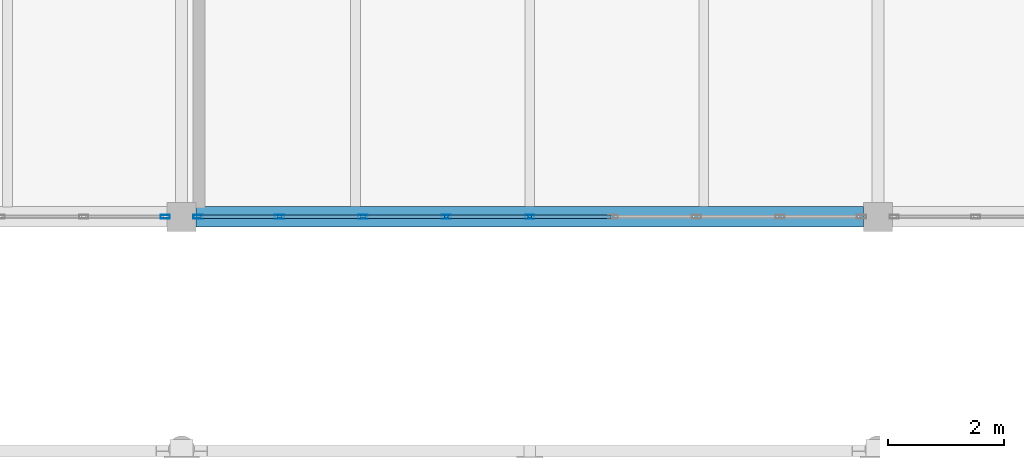
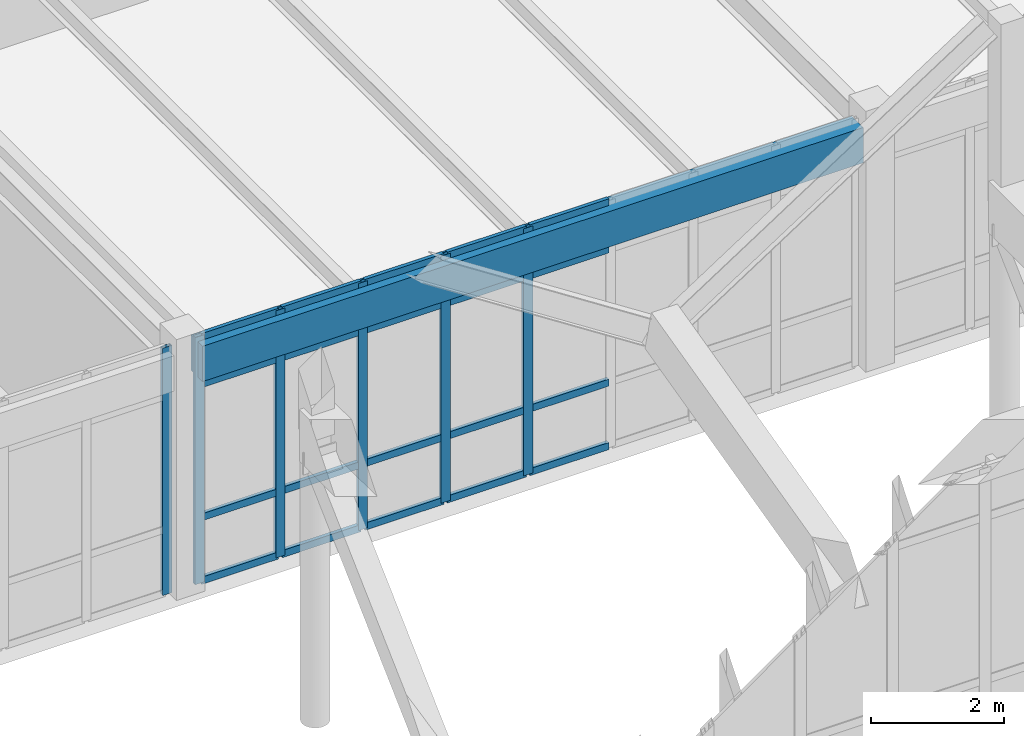
# One storey, part 101 of 236: 26 members, 1 beam, 2 elements without a shape of their own.
"""IFC4 building model written with IfcOpenShell, lengths in metres."""

from ifc_helpers import new_model, si_unit, direction, frame, origin, origin_2d, place, context, subcontext, project, spatial, rectangle, hollow_rectangle, extrude, material, layer, layer_set, material_profile, profile_set, type_object, element, aggregate, save


model = new_model("IFC4")

# Units and contexts
model_context = context("Model", 3, precision=1e-05, world=origin(), true_north=direction((0.0, 1.0)))
body_context = subcontext(model_context, "Body", "Model", "MODEL_VIEW")
ifc_project = project(units=[si_unit("LENGTHUNIT", "METRE"), si_unit("AREAUNIT", "SQUARE_METRE"), si_unit("VOLUMEUNIT", "CUBIC_METRE"), si_unit("PLANEANGLEUNIT", "RADIAN"), si_unit("MASSUNIT", "GRAM", prefix="KILO")], contexts=[model_context])

# Site, building, storey
site_placement = place(None, origin())
site = spatial("IfcSite", under=ifc_project, at=site_placement, CompositionType="ELEMENT")
building_placement = place(site_placement, origin())
building = spatial("IfcBuilding", under=site, at=building_placement, Name="Pandanus Reach Market Hall", CompositionType="ELEMENT")
storey_placement = place(building_placement, frame((0.0, 0.0, 5.39990234375)))
storey = spatial("IfcBuildingStorey", under=building, at=storey_placement, Name="L01", CompositionType="ELEMENT", Elevation=5.39990234375)

# Beam
ifc_material_1 = material(Name="Concrete N40 (40 MPa)", Category="concrete")
ifc_material_profile_1 = material_profile(ifc_material_1, rectangle(XDim=0.35009765625, YDim=0.64990234375, at=origin_2d()), Name="RC350x650", Category="LoadBearing")
ifc_profile_set_1 = profile_set([ifc_material_profile_1], Name="Concrete N40 (40 MPa)")
beam_type = type_object("IfcBeamType", Name="BM-RC350-E", PredefinedType="SPANDREL", material=ifc_profile_set_1)
beam_placement = place(storey_placement, frame((96.248046875, 96.0, 4.135009765625), z_axis=(1.0, 0.0, 0.0), x_axis=(0.0, 1.0, 0.0)))
element("IfcBeam", 1, at=beam_placement, inside=storey, type_object=beam_type, Name="Framing beam BM-RC350-E L01.851", PredefinedType="SPANDREL", context=body_context, shape_type="SweptSolid", body=[
    extrude(rectangle(XDim=0.35009765625, YDim=0.64990234375, at=origin_2d()), origin(), (0.0, 0.0, 1.0), 11.50390625),
])

# Curtain wall, member
ifc_material_2 = material(Name="Bronze anodised aluminium and low-E glass", Category="aluminium")
ifc_layer = layer(ifc_material_2, 0.159912109375, Name="CW-38")
ifc_layer_set = layer_set([ifc_layer], Name="Bronze anodised aluminium and low-E glass")
curtain_wall_type = type_object("IfcCurtainWallType", Name="CW-38", PredefinedType="NOTDEFINED", material=ifc_layer_set)
curtain_wall_1_placement = place(storey_placement, origin())
curtain_wall_1 = element("IfcCurtainWall", 2, at=curtain_wall_1_placement, inside=storey, type_object=curtain_wall_type, Name="Glazed curtain wall CW-38 CW-0138", PredefinedType="NOTDEFINED")
ifc_material_3 = material(Name="Bronze anodised aluminium", Category="aluminium")
ifc_material_profile_2 = material_profile(ifc_material_3, hollow_rectangle(XDim=0.06494140625, YDim=0.159912109375, WallThickness=0.00390625, at=origin_2d()), Name="ALU65x160", Category="LoadBearing")
ifc_profile_set_2 = profile_set([ifc_material_profile_2], Name="Bronze anodised aluminium")
member_type_1 = type_object("IfcMemberType", Name="CW-M1", PredefinedType="MULLION", material=ifc_profile_set_2)
member_1_placement = place(storey_placement, frame((95.717529296875, 96.0, 0.0), z_axis=(0.0, 0.0, 1.0), x_axis=(0.0, 1.0, 0.0)))
member_1 = element("IfcMember", 3, at=member_1_placement, type_object=member_type_1, Name="CW-38 mullion 9", PredefinedType="MULLION", context=body_context, shape_type="SweptSolid", body=[
    extrude(hollow_rectangle(XDim=0.06494140625, YDim=0.159912109375, WallThickness=0.00390625, at=origin_2d()), origin(), (0.0, 0.0, 1.0), 4.550048828125),
])
aggregate(curtain_wall_1, [member_1])

# Curtain wall, members
curtain_wall_2_placement = place(storey_placement, origin())
curtain_wall_2 = element("IfcCurtainWall", 4, at=curtain_wall_2_placement, inside=storey, type_object=curtain_wall_type, Name="Glazed curtain wall CW-38 CW-0140", PredefinedType="NOTDEFINED")
member_2_placement = place(storey_placement, frame((96.282470703125, 96.0, 0.0), z_axis=(0.0, 0.0, 1.0), x_axis=(0.0, 1.0, 0.0)))
member_2 = element("IfcMember", 5, at=member_2_placement, type_object=member_type_1, Name="CW-38 mullion 1", PredefinedType="MULLION", context=body_context, shape_type="SweptSolid", body=[
    extrude(hollow_rectangle(XDim=0.06494140625, YDim=0.159912109375, WallThickness=0.00390625, at=origin_2d()), origin(), (0.0, 0.0, 1.0), 4.550048828125),
])
member_3_placement = place(storey_placement, frame((97.6875, 96.0, 0.0), z_axis=(0.0, 0.0, 1.0), x_axis=(0.0, 1.0, 0.0)))
member_3 = element("IfcMember", 6, at=member_3_placement, type_object=member_type_1, Name="CW-38 mullion 2", PredefinedType="MULLION", context=body_context, shape_type="SweptSolid", body=[
    extrude(hollow_rectangle(XDim=0.06494140625, YDim=0.159912109375, WallThickness=0.00390625, at=origin_2d()), origin(), (0.0, 0.0, 1.0), 4.550048828125),
])
member_4_placement = place(storey_placement, frame((99.125, 96.0, 0.0), z_axis=(0.0, 0.0, 1.0), x_axis=(0.0, 1.0, 0.0)))
member_4 = element("IfcMember", 7, at=member_4_placement, type_object=member_type_1, Name="CW-38 mullion 3", PredefinedType="MULLION", context=body_context, shape_type="SweptSolid", body=[
    extrude(hollow_rectangle(XDim=0.06494140625, YDim=0.159912109375, WallThickness=0.00390625, at=origin_2d()), origin(), (0.0, 0.0, 1.0), 4.550048828125),
])
member_5_placement = place(storey_placement, frame((100.5625, 96.0, 0.0), z_axis=(0.0, 0.0, 1.0), x_axis=(0.0, 1.0, 0.0)))
member_5 = element("IfcMember", 8, at=member_5_placement, type_object=member_type_1, Name="CW-38 mullion 4", PredefinedType="MULLION", context=body_context, shape_type="SweptSolid", body=[
    extrude(hollow_rectangle(XDim=0.06494140625, YDim=0.159912109375, WallThickness=0.00390625, at=origin_2d()), origin(), (0.0, 0.0, 1.0), 4.550048828125),
])
member_6_placement = place(storey_placement, frame((102.0, 96.0, 0.0), z_axis=(0.0, 0.0, 1.0), x_axis=(0.0, 1.0, 0.0)))
member_6 = element("IfcMember", 9, at=member_6_placement, type_object=member_type_1, Name="CW-38 mullion 5", PredefinedType="MULLION", context=body_context, shape_type="SweptSolid", body=[
    extrude(hollow_rectangle(XDim=0.06494140625, YDim=0.159912109375, WallThickness=0.00390625, at=origin_2d()), origin(), (0.0, 0.0, 1.0), 4.550048828125),
])
ifc_material_profile_3 = material_profile(ifc_material_3, hollow_rectangle(XDim=0.06494140625, YDim=0.1298828125, WallThickness=0.00390625, at=origin_2d()), Name="ALU65x130", Category="LoadBearing")
ifc_profile_set_3 = profile_set([ifc_material_profile_3], Name="Bronze anodised aluminium")
member_type_2 = type_object("IfcMemberType", Name="CW-T1", PredefinedType="USERDEFINED", material=ifc_profile_set_3)
member_7_placement = place(storey_placement, frame((96.31494140625, 96.0, 0.03271484375), z_axis=(1.0, 0.0, 0.0), x_axis=(0.0, 1.0, 0.0)))
member_7 = element("IfcMember", 10, at=member_7_placement, type_object=member_type_2, Name="CW-38 transom 1.1", ObjectType="TRANSOM", PredefinedType="USERDEFINED", context=body_context, shape_type="SweptSolid", body=[
    extrude(hollow_rectangle(XDim=0.06494140625, YDim=0.1298828125, WallThickness=0.00390625, at=origin_2d()), origin(), (0.0, 0.0, 1.0), 1.340087890625),
])
member_8_placement = place(storey_placement, frame((96.31494140625, 96.0, 1.2001953125), z_axis=(1.0, 0.0, 0.0), x_axis=(0.0, 1.0, 0.0)))
member_8 = element("IfcMember", 11, at=member_8_placement, type_object=member_type_2, Name="CW-38 transom 1.2", ObjectType="TRANSOM", PredefinedType="USERDEFINED", context=body_context, shape_type="SweptSolid", body=[
    extrude(hollow_rectangle(XDim=0.06494140625, YDim=0.1298828125, WallThickness=0.00390625, at=origin_2d()), origin(), (0.0, 0.0, 1.0), 1.340087890625),
])
member_9_placement = place(storey_placement, frame((96.31494140625, 96.0, 3.650146484375), z_axis=(1.0, 0.0, 0.0), x_axis=(0.0, 1.0, 0.0)))
member_9 = element("IfcMember", 12, at=member_9_placement, type_object=member_type_2, Name="CW-38 transom 1.3", ObjectType="TRANSOM", PredefinedType="USERDEFINED", context=body_context, shape_type="SweptSolid", body=[
    extrude(hollow_rectangle(XDim=0.06494140625, YDim=0.1298828125, WallThickness=0.00390625, at=origin_2d()), origin(), (0.0, 0.0, 1.0), 1.340087890625),
])
member_10_placement = place(storey_placement, frame((96.31494140625, 96.0, 4.517578125), z_axis=(1.0, 0.0, 0.0), x_axis=(0.0, 1.0, 0.0)))
member_10 = element("IfcMember", 13, at=member_10_placement, type_object=member_type_2, Name="CW-38 transom 1.4", ObjectType="TRANSOM", PredefinedType="USERDEFINED", context=body_context, shape_type="SweptSolid", body=[
    extrude(hollow_rectangle(XDim=0.06494140625, YDim=0.1298828125, WallThickness=0.00390625, at=origin_2d()), origin(), (0.0, 0.0, 1.0), 1.340087890625),
])
member_11_placement = place(storey_placement, frame((97.719970703125, 96.0, 0.03271484375), z_axis=(1.0, 0.0, 0.0), x_axis=(0.0, 1.0, 0.0)))
member_11 = element("IfcMember", 14, at=member_11_placement, type_object=member_type_2, Name="CW-38 transom 2.1", ObjectType="TRANSOM", PredefinedType="USERDEFINED", context=body_context, shape_type="SweptSolid", body=[
    extrude(hollow_rectangle(XDim=0.06494140625, YDim=0.1298828125, WallThickness=0.00390625, at=origin_2d()), origin(), (0.0, 0.0, 1.0), 1.37255859375),
])
member_12_placement = place(storey_placement, frame((97.719970703125, 96.0, 1.2001953125), z_axis=(1.0, 0.0, 0.0), x_axis=(0.0, 1.0, 0.0)))
member_12 = element("IfcMember", 15, at=member_12_placement, type_object=member_type_2, Name="CW-38 transom 2.2", ObjectType="TRANSOM", PredefinedType="USERDEFINED", context=body_context, shape_type="SweptSolid", body=[
    extrude(hollow_rectangle(XDim=0.06494140625, YDim=0.1298828125, WallThickness=0.00390625, at=origin_2d()), origin(), (0.0, 0.0, 1.0), 1.37255859375),
])
member_13_placement = place(storey_placement, frame((97.719970703125, 96.0, 3.650146484375), z_axis=(1.0, 0.0, 0.0), x_axis=(0.0, 1.0, 0.0)))
member_13 = element("IfcMember", 16, at=member_13_placement, type_object=member_type_2, Name="CW-38 transom 2.3", ObjectType="TRANSOM", PredefinedType="USERDEFINED", context=body_context, shape_type="SweptSolid", body=[
    extrude(hollow_rectangle(XDim=0.06494140625, YDim=0.1298828125, WallThickness=0.00390625, at=origin_2d()), origin(), (0.0, 0.0, 1.0), 1.37255859375),
])
member_14_placement = place(storey_placement, frame((97.719970703125, 96.0, 4.517578125), z_axis=(1.0, 0.0, 0.0), x_axis=(0.0, 1.0, 0.0)))
member_14 = element("IfcMember", 17, at=member_14_placement, type_object=member_type_2, Name="CW-38 transom 2.4", ObjectType="TRANSOM", PredefinedType="USERDEFINED", context=body_context, shape_type="SweptSolid", body=[
    extrude(hollow_rectangle(XDim=0.06494140625, YDim=0.1298828125, WallThickness=0.00390625, at=origin_2d()), origin(), (0.0, 0.0, 1.0), 1.37255859375),
])
member_15_placement = place(storey_placement, frame((99.157470703125, 96.0, 0.03271484375), z_axis=(1.0, 0.0, 0.0), x_axis=(0.0, 1.0, 0.0)))
member_15 = element("IfcMember", 18, at=member_15_placement, type_object=member_type_2, Name="CW-38 transom 3.1", ObjectType="TRANSOM", PredefinedType="USERDEFINED", context=body_context, shape_type="SweptSolid", body=[
    extrude(hollow_rectangle(XDim=0.06494140625, YDim=0.1298828125, WallThickness=0.00390625, at=origin_2d()), origin(), (0.0, 0.0, 1.0), 1.37255859375),
])
member_16_placement = place(storey_placement, frame((99.157470703125, 96.0, 1.2001953125), z_axis=(1.0, 0.0, 0.0), x_axis=(0.0, 1.0, 0.0)))
member_16 = element("IfcMember", 19, at=member_16_placement, type_object=member_type_2, Name="CW-38 transom 3.2", ObjectType="TRANSOM", PredefinedType="USERDEFINED", context=body_context, shape_type="SweptSolid", body=[
    extrude(hollow_rectangle(XDim=0.06494140625, YDim=0.1298828125, WallThickness=0.00390625, at=origin_2d()), origin(), (0.0, 0.0, 1.0), 1.37255859375),
])
member_17_placement = place(storey_placement, frame((99.157470703125, 96.0, 3.650146484375), z_axis=(1.0, 0.0, 0.0), x_axis=(0.0, 1.0, 0.0)))
member_17 = element("IfcMember", 20, at=member_17_placement, type_object=member_type_2, Name="CW-38 transom 3.3", ObjectType="TRANSOM", PredefinedType="USERDEFINED", context=body_context, shape_type="SweptSolid", body=[
    extrude(hollow_rectangle(XDim=0.06494140625, YDim=0.1298828125, WallThickness=0.00390625, at=origin_2d()), origin(), (0.0, 0.0, 1.0), 1.37255859375),
])
member_18_placement = place(storey_placement, frame((99.157470703125, 96.0, 4.517578125), z_axis=(1.0, 0.0, 0.0), x_axis=(0.0, 1.0, 0.0)))
member_18 = element("IfcMember", 21, at=member_18_placement, type_object=member_type_2, Name="CW-38 transom 3.4", ObjectType="TRANSOM", PredefinedType="USERDEFINED", context=body_context, shape_type="SweptSolid", body=[
    extrude(hollow_rectangle(XDim=0.06494140625, YDim=0.1298828125, WallThickness=0.00390625, at=origin_2d()), origin(), (0.0, 0.0, 1.0), 1.37255859375),
])
member_19_placement = place(storey_placement, frame((100.594970703125, 96.0, 0.03271484375), z_axis=(1.0, 0.0, 0.0), x_axis=(0.0, 1.0, 0.0)))
member_19 = element("IfcMember", 22, at=member_19_placement, type_object=member_type_2, Name="CW-38 transom 4.1", ObjectType="TRANSOM", PredefinedType="USERDEFINED", context=body_context, shape_type="SweptSolid", body=[
    extrude(hollow_rectangle(XDim=0.06494140625, YDim=0.1298828125, WallThickness=0.00390625, at=origin_2d()), origin(), (0.0, 0.0, 1.0), 1.37255859375),
])
member_20_placement = place(storey_placement, frame((100.594970703125, 96.0, 1.2001953125), z_axis=(1.0, 0.0, 0.0), x_axis=(0.0, 1.0, 0.0)))
member_20 = element("IfcMember", 23, at=member_20_placement, type_object=member_type_2, Name="CW-38 transom 4.2", ObjectType="TRANSOM", PredefinedType="USERDEFINED", context=body_context, shape_type="SweptSolid", body=[
    extrude(hollow_rectangle(XDim=0.06494140625, YDim=0.1298828125, WallThickness=0.00390625, at=origin_2d()), origin(), (0.0, 0.0, 1.0), 1.37255859375),
])
member_21_placement = place(storey_placement, frame((100.594970703125, 96.0, 3.650146484375), z_axis=(1.0, 0.0, 0.0), x_axis=(0.0, 1.0, 0.0)))
member_21 = element("IfcMember", 24, at=member_21_placement, type_object=member_type_2, Name="CW-38 transom 4.3", ObjectType="TRANSOM", PredefinedType="USERDEFINED", context=body_context, shape_type="SweptSolid", body=[
    extrude(hollow_rectangle(XDim=0.06494140625, YDim=0.1298828125, WallThickness=0.00390625, at=origin_2d()), origin(), (0.0, 0.0, 1.0), 1.37255859375),
])
member_22_placement = place(storey_placement, frame((100.594970703125, 96.0, 4.517578125), z_axis=(1.0, 0.0, 0.0), x_axis=(0.0, 1.0, 0.0)))
member_22 = element("IfcMember", 25, at=member_22_placement, type_object=member_type_2, Name="CW-38 transom 4.4", ObjectType="TRANSOM", PredefinedType="USERDEFINED", context=body_context, shape_type="SweptSolid", body=[
    extrude(hollow_rectangle(XDim=0.06494140625, YDim=0.1298828125, WallThickness=0.00390625, at=origin_2d()), origin(), (0.0, 0.0, 1.0), 1.37255859375),
])
member_23_placement = place(storey_placement, frame((102.032470703125, 96.0, 0.03271484375), z_axis=(1.0, 0.0, 0.0), x_axis=(0.0, 1.0, 0.0)))
member_23 = element("IfcMember", 26, at=member_23_placement, type_object=member_type_2, Name="CW-38 transom 5.1", ObjectType="TRANSOM", PredefinedType="USERDEFINED", context=body_context, shape_type="SweptSolid", body=[
    extrude(hollow_rectangle(XDim=0.06494140625, YDim=0.1298828125, WallThickness=0.00390625, at=origin_2d()), origin(), (0.0, 0.0, 1.0), 1.37255859375),
])
member_24_placement = place(storey_placement, frame((102.032470703125, 96.0, 1.2001953125), z_axis=(1.0, 0.0, 0.0), x_axis=(0.0, 1.0, 0.0)))
member_24 = element("IfcMember", 27, at=member_24_placement, type_object=member_type_2, Name="CW-38 transom 5.2", ObjectType="TRANSOM", PredefinedType="USERDEFINED", context=body_context, shape_type="SweptSolid", body=[
    extrude(hollow_rectangle(XDim=0.06494140625, YDim=0.1298828125, WallThickness=0.00390625, at=origin_2d()), origin(), (0.0, 0.0, 1.0), 1.37255859375),
])
member_25_placement = place(storey_placement, frame((102.032470703125, 96.0, 3.650146484375), z_axis=(1.0, 0.0, 0.0), x_axis=(0.0, 1.0, 0.0)))
member_25 = element("IfcMember", 28, at=member_25_placement, type_object=member_type_2, Name="CW-38 transom 5.3", ObjectType="TRANSOM", PredefinedType="USERDEFINED", context=body_context, shape_type="SweptSolid", body=[
    extrude(hollow_rectangle(XDim=0.06494140625, YDim=0.1298828125, WallThickness=0.00390625, at=origin_2d()), origin(), (0.0, 0.0, 1.0), 1.37255859375),
])
member_26_placement = place(storey_placement, frame((102.032470703125, 96.0, 4.517578125), z_axis=(1.0, 0.0, 0.0), x_axis=(0.0, 1.0, 0.0)))
member_26 = element("IfcMember", 29, at=member_26_placement, type_object=member_type_2, Name="CW-38 transom 5.4", ObjectType="TRANSOM", PredefinedType="USERDEFINED", context=body_context, shape_type="SweptSolid", body=[
    extrude(hollow_rectangle(XDim=0.06494140625, YDim=0.1298828125, WallThickness=0.00390625, at=origin_2d()), origin(), (0.0, 0.0, 1.0), 1.37255859375),
])
aggregate(curtain_wall_2, [member_2, member_3, member_4, member_5, member_6, member_7, member_8, member_9, member_10, member_11, member_12, member_13, member_14, member_15, member_16, member_17, member_18, member_19, member_20, member_21, member_22, member_23, member_24, member_25, member_26])

save(model, "model.ifc")
